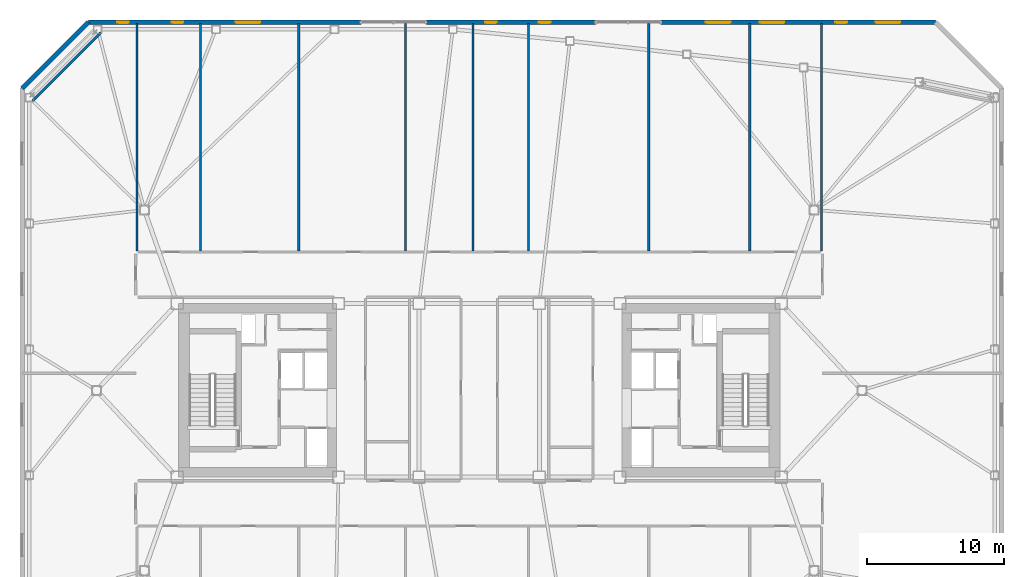
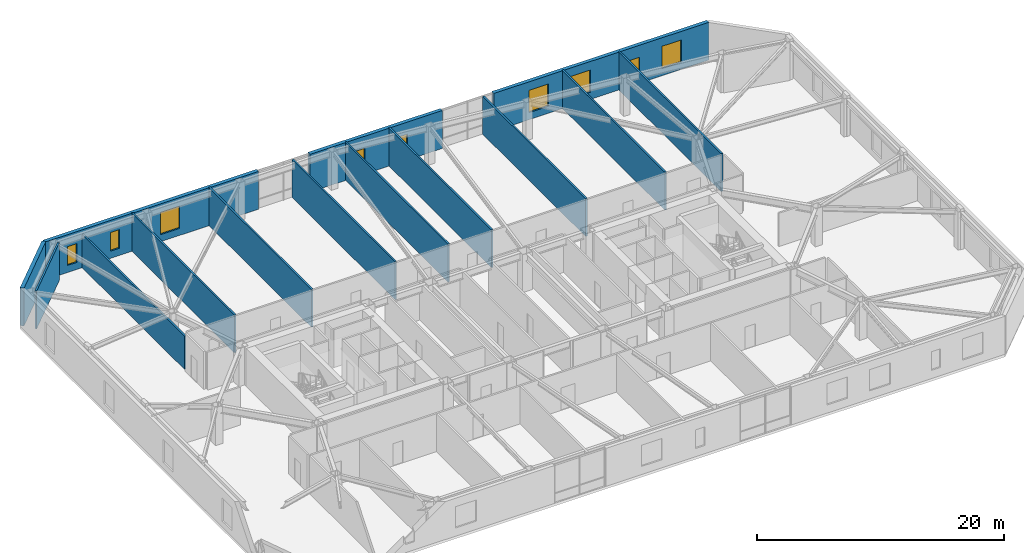
# One storey, part 13 of 18: 14 walls, 9 windows, 9 openings.
"""IFC4 building model written with IfcOpenShell, lengths in metres."""

from ifc_helpers import new_model, si_unit, direction, frame, frame_2d, origin, place, context, subcontext, project, spatial, rectangle, extrude, material, layer, layer_set, type_object, element, fill, save


model = new_model("IFC4")

# Units and contexts
model_context = context("Model", 3, precision=1e-05, world=origin(), true_north=direction((0.0, 1.0)))
body_context = subcontext(model_context, "Body", "Model", "MODEL_VIEW")
ifc_project = project(units=[si_unit("LENGTHUNIT", "METRE"), si_unit("AREAUNIT", "SQUARE_METRE"), si_unit("VOLUMEUNIT", "CUBIC_METRE"), si_unit("PLANEANGLEUNIT", "RADIAN"), si_unit("MASSUNIT", "GRAM", prefix="KILO")], contexts=[model_context])

# Site, building, storey
site_placement = place(None, origin())
site = spatial("IfcSite", under=ifc_project, at=site_placement, CompositionType="ELEMENT")
building_placement = place(site_placement, origin())
building = spatial("IfcBuilding", under=site, at=building_placement, Name="Tavrogorsk Clinical Tower", CompositionType="ELEMENT")
storey_placement = place(building_placement, frame((0.0, 0.0, 200.199951171875)))
storey = spatial("IfcBuildingStorey", under=building, at=storey_placement, Name="L46", CompositionType="ELEMENT", Elevation=200.199951171875)

# Walls
ifc_material_1 = material(Name="Lightweight concrete blockwork B15", Category="masonry")
ifc_layer_1 = layer(ifc_material_1, 0.159912109375)
ifc_layer_set_1 = layer_set([ifc_layer_1], Name="Lightweight concrete blockwork B15")
wall_type_1 = type_object("IfcWallType", Name="PartitionWall_160", PredefinedType="PARTITIONING", material=ifc_layer_set_1)
wall_1_placement = place(storey_placement, frame((-27.6796875, 26.1796875, 0.0), z_axis=(0.0, 0.0, 1.0), x_axis=(-0.707106781187, -0.707106781187, 0.0)))
element("IfcWall", 1, at=wall_1_placement, inside=storey, type_object=wall_type_1, Name="L46 Corner Exoskeleton Brace Furring Wall 3", PredefinedType="PARTITIONING", context=body_context, shape_type="SweptSolid", body=[
    extrude(rectangle(XDim=7.071044921875, YDim=0.159912109375, at=frame_2d((3.53564453125, 0.0))), origin(), (0.0, 0.0, 1.0), 3.739990234375),
])
wall_2_placement = place(storey_placement, frame((-25.050048828125, 10.215087890625, 0.0), z_axis=(0.0, 0.0, 1.0), x_axis=(0.0, 1.0, 0.0)))
element("IfcWall", 2, at=wall_2_placement, inside=storey, type_object=wall_type_1, Name="L46 NW Wing Closure Partition", PredefinedType="PARTITIONING", context=body_context, shape_type="SweptSolid", body=[
    extrude(rectangle(XDim=16.64501953125, YDim=0.159912109375, at=frame_2d((8.322509765625, 0.0))), origin(), (0.0, 0.0, 1.0), 3.28515625),
])
for number, where, z_axis, x_axis, name in (
    (3, (25.050048828125, 10.215087890625, 0.0), (0.0, 0.0, 1.0), (0.0, 1.0, 0.0), "L46 NE Wing Closure Partition"),
    (4, (-20.39990234375, 10.215087890625, 0.0), (0.0, 0.0, 1.0), (0.0, 1.0, 0.0), "L46 North Room Partition 1"),
    (5, (-13.199951171875, 10.215087890625, 0.0), (0.0, 0.0, 1.0), (0.0, 1.0, 0.0), "L46 North Room Partition 2"),
    (6, (-5.39990234375, 10.215087890625, 0.0), (0.0, 0.0, 1.0), (0.0, 1.0, 0.0), "L46 North Room Partition 3"),
    (7, (3.60009765625, 10.215087890625, 0.0), (0.0, 0.0, 1.0), (0.0, 1.0, 0.0), "L46 North Room Partition 4"),
    (8, (12.39990234375, 10.215087890625, 0.0), (0.0, 0.0, 1.0), (0.0, 1.0, 0.0), "L46 North Room Partition 5"),
    (9, (19.800048828125, 10.215087890625, 0.0), (0.0, 0.0, 1.0), (0.0, 1.0, 0.0), "L46 North Room Partition 6"),
    (10, (-0.449951171875, 10.215087890625, 0.0), (0.0, 0.0, 1.0), (0.0, 1.0, 0.0), "L46 North Sub-Partition 4"),
):
    element("IfcWall", number, at=place(storey_placement, frame(where, z_axis=z_axis, x_axis=x_axis)), inside=storey, type_object=wall_type_1, Name=name, PredefinedType="PARTITIONING", context=body_context, shape_type="SweptSolid", body=[
        extrude(rectangle(XDim=16.64501953125, YDim=0.159912109375, at=frame_2d((8.322509765625, 0.0))), origin(), (0.0, 0.0, 1.0), 3.739990234375),
    ])

# Wall, openings, windows
ifc_material_2 = material(Name="Precast concrete B45 with limestone cladding", Category="masonry")
ifc_layer_2 = layer(ifc_material_2, 0.340087890625)
ifc_layer_set_2 = layer_set([ifc_layer_2], Name="Precast concrete B45 with limestone cladding")
wall_type_2 = type_object("IfcWallType", Name="PrecastLimestoneWall_340", PredefinedType="STANDARD", material=ifc_layer_set_2)
wall_3_placement = place(storey_placement, frame((33.39990234375, 26.929931640625, 0.0), z_axis=(0.0, 0.0, 1.0), x_axis=(-1.0, 0.0, 0.0)))
wall_3 = element("IfcWall", 11, at=wall_3_placement, inside=storey, type_object=wall_type_2, Name="L46 N Limestone Facade Wall 1", PredefinedType="STANDARD", context=body_context, shape_type="SweptSolid", body=[
    extrude(rectangle(XDim=20.08984375, YDim=0.340087890625, at=frame_2d((10.044921875, 0.0))), origin(), (0.0, 0.0, 1.0), 3.739990234375),
])
opening_1_placement = place(wall_3_placement, frame((15.0048828125, 0.0, 0.699951171875)))
opening_1 = element("IfcOpeningElement", 12, at=opening_1_placement, cuts=wall_3, Name="Opening WN-04", PredefinedType="OPENING", context=body_context, shape_type="SweptSolid", body=[
    extrude(rectangle(XDim=1.800048828125, YDim=2.199951171875, at=frame_2d((0.89990234375, 1.10009765625))), frame((0.0, 0.179931640625, 0.0), z_axis=(0.0, -1.0, 0.0), x_axis=(1.0, 0.0, 0.0)), (0.0, 0.0, 1.0), 0.360107421875),
])
opening_2_placement = place(wall_3_placement, frame((11.0712890625, 0.0, 0.699951171875)))
opening_2 = element("IfcOpeningElement", 13, at=opening_2_placement, cuts=wall_3, Name="Opening WN-04", PredefinedType="OPENING", context=body_context, shape_type="SweptSolid", body=[
    extrude(rectangle(XDim=1.800048828125, YDim=2.199951171875, at=frame_2d((0.89990234375, 1.10009765625))), frame((0.0, 0.179931640625, 0.0), z_axis=(0.0, -1.0, 0.0), x_axis=(1.0, 0.0, 0.0)), (0.0, 0.0, 1.0), 0.360107421875),
])
opening_3_placement = place(wall_3_placement, frame((6.479736328125, 0.0, 0.699951171875)))
opening_3 = element("IfcOpeningElement", 14, at=opening_3_placement, cuts=wall_3, Name="Opening WN-06", PredefinedType="OPENING", context=body_context, shape_type="SweptSolid", body=[
    extrude(rectangle(XDim=0.85009765625, YDim=1.85009765625, at=frame_2d((0.425048828125, 0.925048828125))), frame((0.0, 0.179931640625, 0.0), z_axis=(0.0, -1.0, 0.0), x_axis=(1.0, 0.0, 0.0)), (0.0, 0.0, 1.0), 0.360107421875),
])
opening_4_placement = place(wall_3_placement, frame((2.591064453125, 0.0, 0.699951171875)))
opening_4 = element("IfcOpeningElement", 15, at=opening_4_placement, cuts=wall_3, Name="Opening WN-04", PredefinedType="OPENING", context=body_context, shape_type="SweptSolid", body=[
    extrude(rectangle(XDim=1.800048828125, YDim=2.199951171875, at=frame_2d((0.89990234375, 1.10009765625))), frame((0.0, 0.179931640625, 0.0), z_axis=(0.0, -1.0, 0.0), x_axis=(1.0, 0.0, 0.0)), (0.0, 0.0, 1.0), 0.360107421875),
])
ifc_material_3 = material(Name="Thermally broken aluminium frame and triple IGU", Category="aluminium")
window_type_1 = type_object("IfcWindowType", Name="IsolationWin_1800x2200", PartitioningType="SINGLE_PANEL", PredefinedType="WINDOW", material=ifc_material_3)
window_1_placement = place(opening_1_placement, origin())
window_1 = element("IfcWindow", 16, at=window_1_placement, inside=storey, type_object=window_type_1, Name="L46 N Chicago Window 07", OverallHeight=2.199951171875, OverallWidth=1.800048828125, PartitioningType="SINGLE_PANEL", PredefinedType="WINDOW", context=body_context, shape_type="SweptSolid", body=[
    extrude(rectangle(XDim=1.800048828125, YDim=2.199951171875, at=frame_2d((0.89990234375, 1.10009765625))), frame((0.0, 0.030029296875, 0.0), z_axis=(0.0, -1.0, 0.0), x_axis=(1.0, 0.0, 0.0)), (0.0, 0.0, 1.0), 0.06005859375),
])
fill(opening_1, window_1)
window_2_placement = place(opening_2_placement, origin())
window_2 = element("IfcWindow", 17, at=window_2_placement, inside=storey, type_object=window_type_1, Name="L46 N Chicago Window 08", OverallHeight=2.199951171875, OverallWidth=1.800048828125, PartitioningType="SINGLE_PANEL", PredefinedType="WINDOW", context=body_context, shape_type="SweptSolid", body=[
    extrude(rectangle(XDim=1.800048828125, YDim=2.199951171875, at=frame_2d((0.89990234375, 1.10009765625))), frame((0.0, 0.030029296875, 0.0), z_axis=(0.0, -1.0, 0.0), x_axis=(1.0, 0.0, 0.0)), (0.0, 0.0, 1.0), 0.06005859375),
])
fill(opening_2, window_2)
window_3_placement = place(opening_4_placement, origin())
window_3 = element("IfcWindow", 18, at=window_3_placement, inside=storey, type_object=window_type_1, Name="L46 N Chicago Window 10", OverallHeight=2.199951171875, OverallWidth=1.800048828125, PartitioningType="SINGLE_PANEL", PredefinedType="WINDOW", context=body_context, shape_type="SweptSolid", body=[
    extrude(rectangle(XDim=1.800048828125, YDim=2.199951171875, at=frame_2d((0.89990234375, 1.10009765625))), frame((0.0, 0.030029296875, 0.0), z_axis=(0.0, -1.0, 0.0), x_axis=(1.0, 0.0, 0.0)), (0.0, 0.0, 1.0), 0.06005859375),
])
fill(opening_4, window_3)
ifc_material_4 = material(Name="Thermally broken aluminium frame and triple IGU", Category="aluminium")
window_type_2 = type_object("IfcWindowType", Name="MullionSubWin_850x1850", PartitioningType="SINGLE_PANEL", PredefinedType="WINDOW", material=ifc_material_4)
window_4_placement = place(opening_3_placement, origin())
window_4 = element("IfcWindow", 19, at=window_4_placement, inside=storey, type_object=window_type_2, Name="L46 N Mullion Split Window 09A", OverallHeight=1.85009765625, OverallWidth=0.85009765625, PartitioningType="SINGLE_PANEL", PredefinedType="WINDOW", context=body_context, shape_type="SweptSolid", body=[
    extrude(rectangle(XDim=0.85009765625, YDim=1.85009765625, at=frame_2d((0.425048828125, 0.925048828125))), frame((0.0, 0.030029296875, 0.0), z_axis=(0.0, -1.0, 0.0), x_axis=(1.0, 0.0, 0.0)), (0.0, 0.0, 1.0), 0.06005859375),
])
fill(opening_3, window_4)

wall_4_placement = place(storey_placement, frame((8.510009765625, 26.929931640625, 0.0), z_axis=(0.0, 0.0, 1.0), x_axis=(-1.0, 0.0, 0.0)))
wall_4 = element("IfcWall", 20, at=wall_4_placement, inside=storey, type_object=wall_type_2, Name="L46 N Limestone Facade Wall 2", PredefinedType="STANDARD", context=body_context, shape_type="SweptSolid", body=[
    extrude(rectangle(XDim=12.372802734375, YDim=0.340087890625, at=frame_2d((6.1865234375, 0.0))), origin(), (0.0, 0.0, 1.0), 3.739990234375),
])
opening_5_placement = place(wall_4_placement, frame((7.228759765625, 0.0, 0.699951171875)))
opening_5 = element("IfcOpeningElement", 21, at=opening_5_placement, cuts=wall_4, Name="Opening WN-06", PredefinedType="OPENING", context=body_context, shape_type="SweptSolid", body=[
    extrude(rectangle(XDim=0.85009765625, YDim=1.85009765625, at=frame_2d((0.425048828125, 0.925048828125))), frame((0.0, 0.179931640625, 0.0), z_axis=(0.0, -1.0, 0.0), x_axis=(1.0, 0.0, 0.0)), (0.0, 0.0, 1.0), 0.360107421875),
])
opening_6_placement = place(wall_4_placement, frame((3.28857421875, 0.0, 0.699951171875)))
opening_6 = element("IfcOpeningElement", 22, at=opening_6_placement, cuts=wall_4, Name="Opening WN-06", PredefinedType="OPENING", context=body_context, shape_type="SweptSolid", body=[
    extrude(rectangle(XDim=0.85009765625, YDim=1.85009765625, at=frame_2d((0.425048828125, 0.925048828125))), frame((0.0, 0.179931640625, 0.0), z_axis=(0.0, -1.0, 0.0), x_axis=(1.0, 0.0, 0.0)), (0.0, 0.0, 1.0), 0.360107421875),
])
window_5_placement = place(opening_5_placement, origin())
window_5 = element("IfcWindow", 23, at=window_5_placement, inside=storey, type_object=window_type_2, Name="L46 N Mullion Split Window 05A", OverallHeight=1.85009765625, OverallWidth=0.85009765625, PartitioningType="SINGLE_PANEL", PredefinedType="WINDOW", context=body_context, shape_type="SweptSolid", body=[
    extrude(rectangle(XDim=0.85009765625, YDim=1.85009765625, at=frame_2d((0.425048828125, 0.925048828125))), frame((0.0, 0.030029296875, 0.0), z_axis=(0.0, -1.0, 0.0), x_axis=(1.0, 0.0, 0.0)), (0.0, 0.0, 1.0), 0.06005859375),
])
fill(opening_5, window_5)
window_6_placement = place(opening_6_placement, origin())
window_6 = element("IfcWindow", 24, at=window_6_placement, inside=storey, type_object=window_type_2, Name="L46 N Mullion Split Window 06A", OverallHeight=1.85009765625, OverallWidth=0.85009765625, PartitioningType="SINGLE_PANEL", PredefinedType="WINDOW", context=body_context, shape_type="SweptSolid", body=[
    extrude(rectangle(XDim=0.85009765625, YDim=1.85009765625, at=frame_2d((0.425048828125, 0.925048828125))), frame((0.0, 0.030029296875, 0.0), z_axis=(0.0, -1.0, 0.0), x_axis=(1.0, 0.0, 0.0)), (0.0, 0.0, 1.0), 0.06005859375),
])
fill(opening_6, window_6)

wall_5_placement = place(storey_placement, frame((-8.662841796875, 26.929931640625, 0.0), z_axis=(0.0, 0.0, 1.0), x_axis=(-1.0, 0.0, 0.0)))
wall_5 = element("IfcWall", 25, at=wall_5_placement, inside=storey, type_object=wall_type_2, Name="L46 N Limestone Facade Wall 3", PredefinedType="STANDARD", context=body_context, shape_type="SweptSolid", body=[
    extrude(rectangle(XDim=19.937255859375, YDim=0.340087890625, at=frame_2d((9.96875, 0.0))), origin(), (0.0, 0.0, 1.0), 3.739990234375),
])
opening_7_placement = place(wall_5_placement, frame((16.96826171875, 0.0, 0.699951171875)))
opening_7 = element("IfcOpeningElement", 26, at=opening_7_placement, cuts=wall_5, Name="Opening WN-06", PredefinedType="OPENING", context=body_context, shape_type="SweptSolid", body=[
    extrude(rectangle(XDim=0.85009765625, YDim=1.85009765625, at=frame_2d((0.425048828125, 0.925048828125))), frame((0.0, 0.179931640625, 0.0), z_axis=(0.0, -1.0, 0.0), x_axis=(1.0, 0.0, 0.0)), (0.0, 0.0, 1.0), 0.360107421875),
])
opening_8_placement = place(wall_5_placement, frame((12.9833984375, 0.0, 0.699951171875)))
opening_8 = element("IfcOpeningElement", 27, at=opening_8_placement, cuts=wall_5, Name="Opening WN-06", PredefinedType="OPENING", context=body_context, shape_type="SweptSolid", body=[
    extrude(rectangle(XDim=0.85009765625, YDim=1.85009765625, at=frame_2d((0.425048828125, 0.925048828125))), frame((0.0, 0.179931640625, 0.0), z_axis=(0.0, -1.0, 0.0), x_axis=(1.0, 0.0, 0.0)), (0.0, 0.0, 1.0), 0.360107421875),
])
opening_9_placement = place(wall_5_placement, frame((7.355224609375, 0.0, 0.699951171875)))
opening_9 = element("IfcOpeningElement", 28, at=opening_9_placement, cuts=wall_5, Name="Opening WN-04", PredefinedType="OPENING", context=body_context, shape_type="SweptSolid", body=[
    extrude(rectangle(XDim=1.800048828125, YDim=2.199951171875, at=frame_2d((0.89990234375, 1.10009765625))), frame((0.0, 0.179931640625, 0.0), z_axis=(0.0, -1.0, 0.0), x_axis=(1.0, 0.0, 0.0)), (0.0, 0.0, 1.0), 0.360107421875),
])
window_7_placement = place(opening_9_placement, origin())
window_7 = element("IfcWindow", 29, at=window_7_placement, inside=storey, type_object=window_type_1, Name="L46 N Chicago Window 03", OverallHeight=2.199951171875, OverallWidth=1.800048828125, PartitioningType="SINGLE_PANEL", PredefinedType="WINDOW", context=body_context, shape_type="SweptSolid", body=[
    extrude(rectangle(XDim=1.800048828125, YDim=2.199951171875, at=frame_2d((0.89990234375, 1.10009765625))), frame((0.0, 0.030029296875, 0.0), z_axis=(0.0, -1.0, 0.0), x_axis=(1.0, 0.0, 0.0)), (0.0, 0.0, 1.0), 0.06005859375),
])
fill(opening_9, window_7)
window_8_placement = place(opening_7_placement, origin())
window_8 = element("IfcWindow", 30, at=window_8_placement, inside=storey, type_object=window_type_2, Name="L46 N Mullion Split Window 01B", OverallHeight=1.85009765625, OverallWidth=0.85009765625, PartitioningType="SINGLE_PANEL", PredefinedType="WINDOW", context=body_context, shape_type="SweptSolid", body=[
    extrude(rectangle(XDim=0.85009765625, YDim=1.85009765625, at=frame_2d((0.425048828125, 0.925048828125))), frame((0.0, 0.030029296875, 0.0), z_axis=(0.0, -1.0, 0.0), x_axis=(1.0, 0.0, 0.0)), (0.0, 0.0, 1.0), 0.06005859375),
])
fill(opening_7, window_8)
window_9_placement = place(opening_8_placement, origin())
window_9 = element("IfcWindow", 31, at=window_9_placement, inside=storey, type_object=window_type_2, Name="L46 N Mullion Split Window 02B", OverallHeight=1.85009765625, OverallWidth=0.85009765625, PartitioningType="SINGLE_PANEL", PredefinedType="WINDOW", context=body_context, shape_type="SweptSolid", body=[
    extrude(rectangle(XDim=0.85009765625, YDim=1.85009765625, at=frame_2d((0.425048828125, 0.925048828125))), frame((0.0, 0.030029296875, 0.0), z_axis=(0.0, -1.0, 0.0), x_axis=(1.0, 0.0, 0.0)), (0.0, 0.0, 1.0), 0.06005859375),
])
fill(opening_8, window_9)

# Wall
wall_6_placement = place(storey_placement, frame((-28.60009765625, 26.929931640625, 0.0), z_axis=(0.0, 0.0, 1.0), x_axis=(-0.707106781187, -0.707106781187, 0.0)))
element("IfcWall", 32, at=wall_6_placement, inside=storey, type_object=wall_type_2, Name="L46 Chamfered Corner Wall 3", PredefinedType="STANDARD", context=body_context, shape_type="SweptSolid", body=[
    extrude(rectangle(XDim=6.830322265625, YDim=0.340087890625, at=frame_2d((3.4150390625, 0.0))), origin(), (0.0, 0.0, 1.0), 3.739990234375),
])

save(model, "model.ifc")
